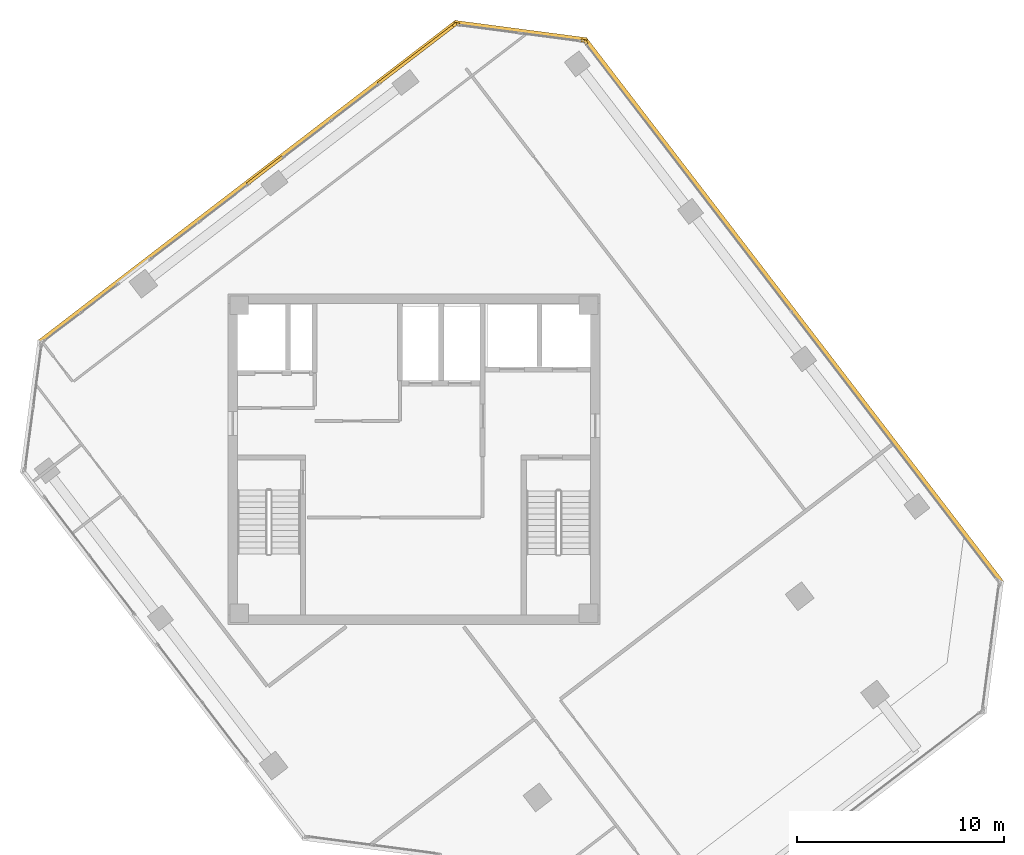
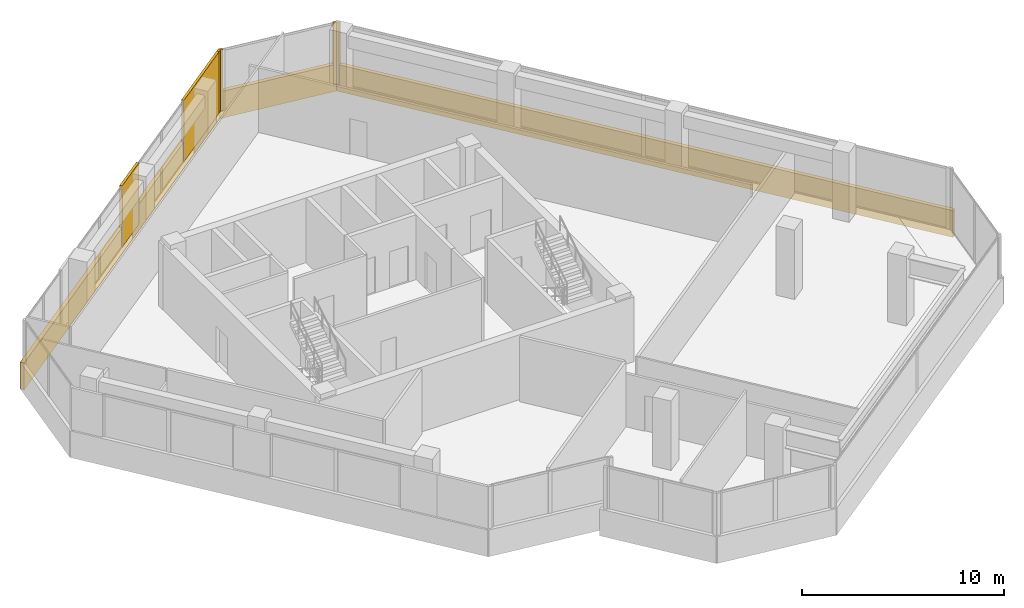
# One storey, part 17 of 17: 9 coverings.
"""IFC4 building model written with IfcOpenShell, lengths in metres."""

from ifc_helpers import new_model, si_unit, direction, frame, origin, origin_2d, place, context, subcontext, project, spatial, rectangle, extrude, source, transform, mapped, material, layer, layer_set, type_object, element, save


model = new_model("IFC4")

# Units and contexts
model_context = context("Model", 3, precision=1e-05, world=origin(), true_north=direction((0.0, 1.0)))
body_context = subcontext(model_context, "Body", "Model", "MODEL_VIEW")
ifc_project = project(units=[si_unit("LENGTHUNIT", "METRE"), si_unit("AREAUNIT", "SQUARE_METRE"), si_unit("VOLUMEUNIT", "CUBIC_METRE"), si_unit("PLANEANGLEUNIT", "RADIAN"), si_unit("MASSUNIT", "GRAM", prefix="KILO")], contexts=[model_context])

# Site, building, storey
site_placement = place(None, origin())
site = spatial("IfcSite", under=ifc_project, at=site_placement, CompositionType="ELEMENT")
building_placement = place(site_placement, origin())
building = spatial("IfcBuilding", under=site, at=building_placement, Name="Torre Montelarca", CompositionType="ELEMENT")
storey_placement = place(building_placement, frame((0.0, 0.0, 283.60009765625)))
storey = spatial("IfcBuildingStorey", under=building, at=storey_placement, Name="L64", CompositionType="ELEMENT", Elevation=283.60009765625)

# Coverings
ifc_material = material(Name="Bush-hammered warm white precast concrete C45/55", Category="concrete")
ifc_layer = layer(ifc_material, 0.139892578125, Name="Bush-hammered warm white precast concrete C45/55", Category="concrete")
ifc_layer_set = layer_set([ifc_layer], Name="Bush-hammered warm white precast concrete C45/55")
covering_type = type_object("IfcCoveringType", Name="COV-TRAY-CLAD", PredefinedType="CLADDING", material=ifc_layer_set)
shared_shape_1 = source(origin(), body_context, "Body", "SweptSolid", [
    extrude(rectangle(XDim=6.48388671875, YDim=0.219970703125, at=origin_2d()), origin(), (0.0, 0.0, 1.0), 1.6201171875),
])
covering_1_placement = place(storey_placement, frame((23.157958984375, 52.7197265625, -0.4501953125), z_axis=(0.0, 0.0, 1.0), x_axis=(-0.991444177927, 0.130531383411, 0.0)))
element("IfcCovering", 1, at=covering_1_placement, inside=storey, type_object=covering_type, Name="L64 Architectural White Spandrel Tray Band TRYBOT-09", PredefinedType="CLADDING", context=body_context, shape_type="MappedRepresentation", body=[
    mapped(shared_shape_1, transform((0.0, 0.0, 0.0), scale=1.0)),
])
shared_shape_2 = source(origin(), body_context, "Body", "SweptSolid", [
    extrude(rectangle(XDim=25.52001953125, YDim=0.219970703125, at=origin_2d()), origin(), (0.0, 0.0, 1.0), 1.6201171875),
])
covering_2_placement = place(storey_placement, frame((9.949951171875, 45.409912109375, -0.4501953125), z_axis=(0.0, 0.0, 1.0), x_axis=(-0.793352277801, -0.608762813671, 0.0)))
element("IfcCovering", 2, at=covering_2_placement, inside=storey, type_object=covering_type, Name="L64 Architectural White Spandrel Tray Band TRYBOT-10", PredefinedType="CLADDING", context=body_context, shape_type="MappedRepresentation", body=[
    mapped(shared_shape_2, transform((0.0, 0.0, 0.0), scale=1.0)),
])
shared_shape_3 = source(origin(), body_context, "Body", "SweptSolid", [
    extrude(rectangle(XDim=0.199951171875, YDim=0.139892578125, at=origin_2d()), origin(), (0.0, 0.0, 1.0), 3.719970703125),
])
for number, where, z_axis, x_axis, name in (
    (3, (26.31591796875, 52.1875, 0.0), (0.0, 0.0, 1.0), (-0.608762813671, 0.793352277801, 0.0), "L64 Architectural Column Pier Cladding E08-2"),
    (4, (26.18994140625, 52.260009765625, 0.0), (0.0, 0.0, 1.0), (-0.991444177927, 0.130531383411, 0.0), "L64 Architectural Column Pier Cladding E09-1"),
    (5, (20.1103515625, 53.060546875, 0.0), (0.0, 0.0, 1.0), (-0.991444177927, 0.130531383411, 0.0), "L64 Architectural Column Pier Cladding E09-2"),
    (6, (19.97021484375, 53.02294921875, 0.0), (0.0, 0.0, 1.0), (-0.793351215308, -0.608764198331, 0.0), "L64 Architectural Column Pier Cladding E10-1"),
):
    element("IfcCovering", number, at=place(storey_placement, frame(where, z_axis=z_axis, x_axis=x_axis)), inside=storey, type_object=covering_type, Name=name, PredefinedType="CLADDING", context=body_context, shape_type="MappedRepresentation", body=[
        mapped(shared_shape_3, transform((0.0, 0.0, 0.0), scale=1.0)),
    ])
shared_shape_4 = source(origin(), body_context, "Body", "SweptSolid", [
    extrude(rectangle(XDim=33.219970703125, YDim=0.219970703125, at=origin_2d()), origin(), (0.0, 0.0, 1.0), 1.6201171875),
])
covering_3_placement = place(storey_placement, frame((36.367919921875, 39.185791015625, -0.4501953125), z_axis=(0.0, 0.0, 1.0), x_axis=(-0.608761429009, 0.793353340291, 0.0)))
element("IfcCovering", 7, at=covering_3_placement, inside=storey, type_object=covering_type, Name="L64 Architectural White Spandrel Tray Band TRYBOT-08", PredefinedType="CLADDING", context=body_context, shape_type="MappedRepresentation", body=[
    mapped(shared_shape_4, transform((0.0, 0.0, 0.0), scale=1.0)),
])
shared_shape_5 = source(origin(), body_context, "Body", "SweptSolid", [
    extrude(rectangle(XDim=4.664306640625, YDim=0.139892578125, at=origin_2d()), origin(), (0.0, 0.0, 1.0), 3.719970703125),
])
covering_4_placement = place(storey_placement, frame((18.119873046875, 51.603271484375, 0.0), z_axis=(0.0, 0.0, 1.0), x_axis=(-0.793351215308, -0.608764198331, 0.0)))
element("IfcCovering", 8, at=covering_4_placement, inside=storey, type_object=covering_type, Name="L64 Architectural Column Pier Cladding E10-2", PredefinedType="CLADDING", context=body_context, shape_type="MappedRepresentation", body=[
    mapped(shared_shape_5, transform((0.0, 0.0, 0.0), scale=1.0)),
])
shared_shape_6 = source(origin(), body_context, "Body", "SweptSolid", [
    extrude(rectangle(XDim=2.159912109375, YDim=0.139892578125, at=origin_2d()), origin(), (0.0, 0.0, 1.0), 3.719970703125),
])
covering_5_placement = place(storey_placement, frame((10.77978515625, 45.970947265625, 0.0), z_axis=(0.0, 0.0, 1.0), x_axis=(-0.793351215308, -0.608764198331, 0.0)))
element("IfcCovering", 9, at=covering_5_placement, inside=storey, type_object=covering_type, Name="L64 Architectural Column Pier Cladding E10-3", PredefinedType="CLADDING", context=body_context, shape_type="MappedRepresentation", body=[
    mapped(shared_shape_6, transform((0.0, 0.0, 0.0), scale=1.0)),
])

save(model, "model.ifc")
